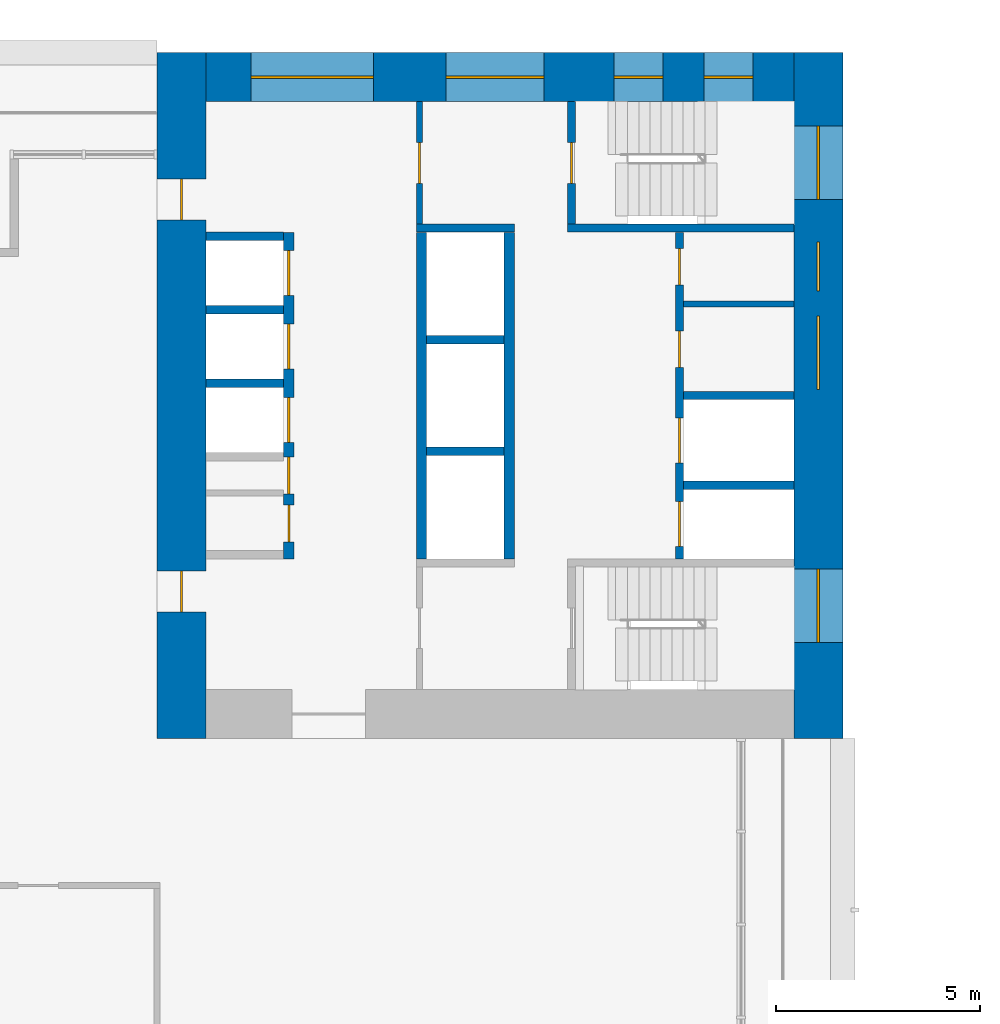
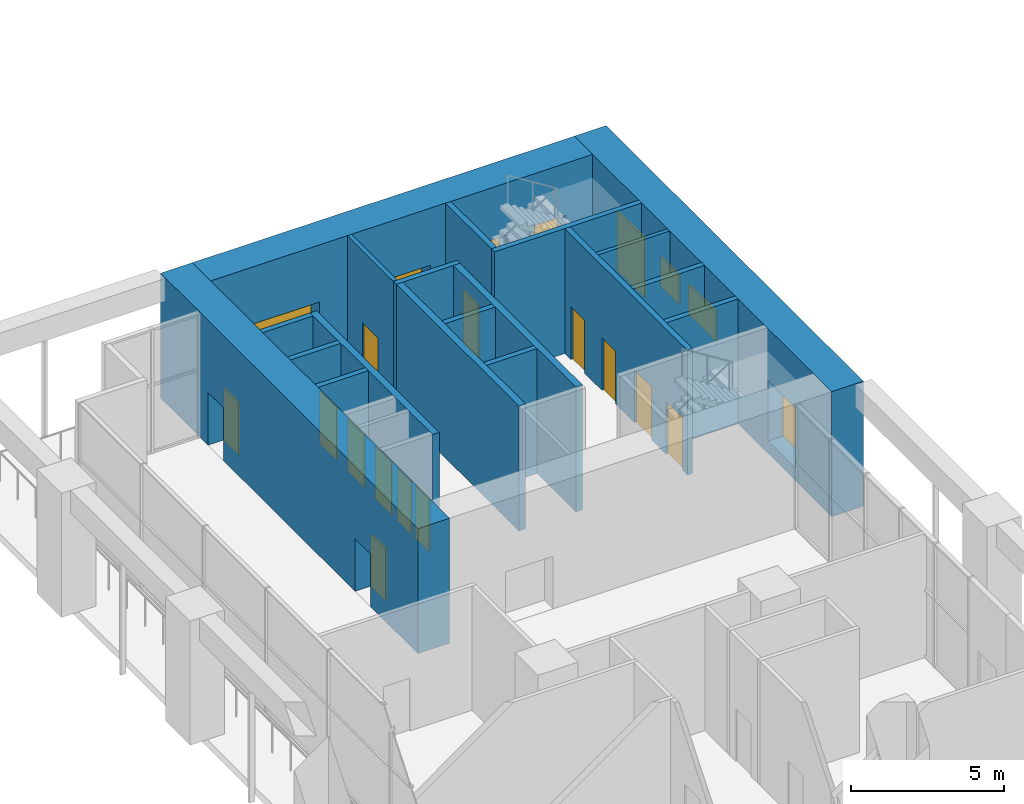
# One storey, part 13 of 26: 19 walls, 13 doors, 8 windows, 21 openings.
"""IFC4 building model written with IfcOpenShell, lengths in metres."""

from ifc_helpers import new_model, si_unit, direction, frame, frame_2d, origin, place, context, subcontext, project, spatial, rectangle, extrude, material, layer, layer_set, type_object, element, fill, save


model = new_model("IFC4")

# Units and contexts
model_context = context("Model", 3, precision=1e-05, world=origin(), true_north=direction((0.0, 1.0)))
body_context = subcontext(model_context, "Body", "Model", "MODEL_VIEW")
ifc_project = project(units=[si_unit("LENGTHUNIT", "METRE"), si_unit("AREAUNIT", "SQUARE_METRE"), si_unit("VOLUMEUNIT", "CUBIC_METRE"), si_unit("PLANEANGLEUNIT", "RADIAN"), si_unit("MASSUNIT", "GRAM", prefix="KILO")], contexts=[model_context])

# Site, building, storey
site_placement = place(None, origin())
site = spatial("IfcSite", under=ifc_project, at=site_placement, CompositionType="ELEMENT")
building_placement = place(site_placement, origin())
building = spatial("IfcBuilding", under=site, at=building_placement, Name="Vermilion Gate Residences", CompositionType="ELEMENT")
storey_placement = place(building_placement, frame((0.0, 0.0, 9.0)))
storey = spatial("IfcBuildingStorey", under=building, at=storey_placement, Name="L01", CompositionType="ELEMENT", Elevation=9.0)

# Wall
ifc_material_1 = material(Name="Masonry blockwork", Category="masonry")
ifc_layer_1 = layer(ifc_material_1, 0.14990234375)
ifc_layer_set_1 = layer_set([ifc_layer_1], Name="BLOCKWORK PARTITION 150 EI 120")
wall_type_1 = type_object("IfcWallType", Name="BLOCKWORK PARTITION 150 EI 120", PredefinedType="PARTITIONING", material=ifc_layer_set_1)
wall_1_placement = place(storey_placement, frame((21.300048828125, 52.637451171875, 0.0), z_axis=(0.0, 0.0, 1.0), x_axis=(1.0, 0.0, 0.0)))
element("IfcWall", 1, at=wall_1_placement, inside=storey, type_object=wall_type_1, Name="Core room partition B01-NR-P0", PredefinedType="PARTITIONING", context=body_context, shape_type="SweptSolid", body=[
    extrude(rectangle(XDim=2.699951171875, YDim=0.14990234375, at=frame_2d((1.35009765625, 0.0))), origin(), (0.0, 0.0, 1.0), 4.97998046875),
])

# Wall, opening, door
wall_2_placement = place(storey_placement, frame((14.824951171875, 57.60009765625, 0.0), z_axis=(0.0, 0.0, 1.0), x_axis=(0.0, -1.0, 0.0)))
wall_2 = element("IfcWall", 2, at=wall_2_placement, inside=storey, type_object=wall_type_1, Name="Core room partition B01-VW-S", PredefinedType="PARTITIONING", context=body_context, shape_type="SweptSolid", body=[
    extrude(rectangle(XDim=3.0, YDim=0.14990234375, at=frame_2d((1.5, 0.0))), origin(), (0.0, 0.0, 1.0), 4.97998046875),
])
opening_1_placement = place(wall_2_placement, frame((1.0, 0.0, 0.0)))
opening_1 = element("IfcOpeningElement", 3, at=opening_1_placement, cuts=wall_2, Name="Opening DK01113", PredefinedType="OPENING", context=body_context, shape_type="SweptSolid", body=[
    extrude(rectangle(XDim=1.0, YDim=2.10009765625, at=frame_2d((0.5, 1.050048828125))), frame((0.0, 0.0849609375, 0.0), z_axis=(0.0, -1.0, 0.0), x_axis=(1.0, 0.0, 0.0)), (0.0, 0.0, 1.0), 0.169921875),
])
ifc_material_2 = material(Name="Steel", Category="steel")
door_type_1 = type_object("IfcDoorType", Name="FIRE DOOR FD60 1000 X 2100", OperationType="SINGLE_SWING_LEFT", PredefinedType="DOOR", material=ifc_material_2)
door_1_placement = place(opening_1_placement, frame((1.0, 0.0, 0.0), z_axis=(0.0, 0.0, 1.0), x_axis=(-1.0, 0.0, 0.0)))
door_1 = element("IfcDoor", 4, at=door_1_placement, inside=storey, type_object=door_type_1, Name="Stair vestibule door B01", OperationType="SINGLE_SWING_RIGHT", OverallHeight=2.10009765625, OverallWidth=1.0, PredefinedType="DOOR", context=body_context, shape_type="SweptSolid", body=[
    extrude(rectangle(XDim=1.0, YDim=2.10009765625, at=frame_2d((0.5, 1.050048828125))), frame((0.0, 0.02490234375, 0.0), z_axis=(0.0, -1.0, 0.0), x_axis=(1.0, 0.0, 0.0)), (0.0, 0.0, 1.0), 0.050048828125),
])
fill(opening_1, door_1)

# Walls
ifc_material_3 = material(Name="Concrete C60", Category="concrete")
ifc_layer_2 = layer(ifc_material_3, 0.199951171875)
ifc_layer_set_2 = layer_set([ifc_layer_2], Name="RC CORE INTERNAL WALL 200 C60")
wall_type_2 = type_object("IfcWallType", Name="RC CORE INTERNAL WALL 200 C60", PredefinedType="SHEAR", material=ifc_layer_set_2)
for number, where, z_axis, x_axis, name in (
    (5, (9.60009765625, 54.300048828125, 0.0), (0.0, 0.0, 1.0), (1.0, 0.0, 0.0), "Core internal wall B01-LR-D0"),
    (6, (9.60009765625, 52.5, 0.0), (0.0, 0.0, 1.0), (1.0, 0.0, 0.0), "Core internal wall B01-LR-D1"),
    (7, (9.60009765625, 50.699951171875, 0.0), (0.0, 0.0, 1.0), (1.0, 0.0, 0.0), "Core internal wall B01-LR-D2"),
    (8, (15.0, 51.7666015625, 0.0), (0.0, 0.0, 1.0), (1.0, 0.0, 0.0), "Core internal wall B01-HR-D1"),
    (9, (15.0, 49.033447265625, 0.0), (0.0, 0.0, 1.0), (1.0, 0.0, 0.0), "Core internal wall B01-HR-D2"),
):
    element("IfcWall", number, at=place(storey_placement, frame(where, z_axis=z_axis, x_axis=x_axis)), inside=storey, type_object=wall_type_2, Name=name, PredefinedType="SHEAR", context=body_context, shape_type="SweptSolid", body=[
        extrude(rectangle(XDim=1.89990234375, YDim=0.199951171875, at=frame_2d((0.949951171875, 0.0))), origin(), (0.0, 0.0, 1.0), 4.97998046875),
    ])
for number, where, z_axis, x_axis, name in (
    (10, (21.300048828125, 50.39990234375, 0.0), (0.0, 0.0, 1.0), (1.0, 0.0, 0.0), "Core internal wall B01-FF-D0"),
    (11, (21.300048828125, 48.199951171875, 0.0), (0.0, 0.0, 1.0), (1.0, 0.0, 0.0), "Core internal wall B01-FF-D1"),
):
    element("IfcWall", number, at=place(storey_placement, frame(where, z_axis=z_axis, x_axis=x_axis)), inside=storey, type_object=wall_type_2, Name=name, PredefinedType="SHEAR", context=body_context, shape_type="SweptSolid", body=[
        extrude(rectangle(XDim=2.699951171875, YDim=0.199951171875, at=frame_2d((1.35009765625, 0.0))), origin(), (0.0, 0.0, 1.0), 4.97998046875),
    ])

# Wall, openings, doors
wall_3_placement = place(storey_placement, frame((21.199951171875, 54.39990234375, 0.0), z_axis=(0.0, 0.0, 1.0), x_axis=(0.0, -1.0, 0.0)))
wall_3 = element("IfcWall", 12, at=wall_3_placement, inside=storey, type_object=wall_type_2, Name="Core internal wall B01-FF-F", PredefinedType="SHEAR", context=body_context, shape_type="SweptSolid", body=[
    extrude(rectangle(XDim=8.0, YDim=0.199951171875, at=frame_2d((4.0, 0.0))), origin(), (0.0, 0.0, 1.0), 4.97998046875),
])
opening_2_placement = place(wall_3_placement, frame((0.393798828125, 0.0, 0.0)))
opening_2 = element("IfcOpeningElement", 13, at=opening_2_placement, cuts=wall_3, Name="Opening DK01109", PredefinedType="OPENING", context=body_context, shape_type="SweptSolid", body=[
    extrude(rectangle(XDim=0.89990234375, YDim=2.10009765625, at=frame_2d((0.449951171875, 1.050048828125))), frame((0.0, 0.10986328125, 0.0), z_axis=(0.0, -1.0, 0.0), x_axis=(1.0, 0.0, 0.0)), (0.0, 0.0, 1.0), 0.219970703125),
])
opening_3_placement = place(wall_3_placement, frame((2.418701171875, 0.0, 0.0)))
opening_3 = element("IfcOpeningElement", 14, at=opening_3_placement, cuts=wall_3, Name="Opening DK01110", PredefinedType="OPENING", context=body_context, shape_type="SweptSolid", body=[
    extrude(rectangle(XDim=0.89990234375, YDim=2.10009765625, at=frame_2d((0.449951171875, 1.050048828125))), frame((0.0, 0.10986328125, 0.0), z_axis=(0.0, -1.0, 0.0), x_axis=(1.0, 0.0, 0.0)), (0.0, 0.0, 1.0), 0.219970703125),
])
opening_4_placement = place(wall_3_placement, frame((4.550048828125, 0.0, 0.0)))
opening_4 = element("IfcOpeningElement", 15, at=opening_4_placement, cuts=wall_3, Name="Opening LD", PredefinedType="OPENING", context=body_context, shape_type="SweptSolid", body=[
    extrude(rectangle(XDim=1.10009765625, YDim=2.10009765625, at=frame_2d((0.550048828125, 1.050048828125))), frame((0.0, 0.10986328125, 0.0), z_axis=(0.0, -1.0, 0.0), x_axis=(1.0, 0.0, 0.0)), (0.0, 0.0, 1.0), 0.219970703125),
])
opening_5_placement = place(wall_3_placement, frame((6.60009765625, 0.0, 0.0)))
opening_5 = element("IfcOpeningElement", 16, at=opening_5_placement, cuts=wall_3, Name="Opening LD", PredefinedType="OPENING", context=body_context, shape_type="SweptSolid", body=[
    extrude(rectangle(XDim=1.10009765625, YDim=2.10009765625, at=frame_2d((0.550048828125, 1.050048828125))), frame((0.0, 0.10986328125, 0.0), z_axis=(0.0, -1.0, 0.0), x_axis=(1.0, 0.0, 0.0)), (0.0, 0.0, 1.0), 0.219970703125),
])
ifc_material_4 = material(Name="Stainless steel", Category="steel")
door_type_2 = type_object("IfcDoorType", Name="LIFT LANDING DOOR E60 1100 X 2100", OperationType="DOUBLE_DOOR_SLIDING", PredefinedType="DOOR", material=ifc_material_4)
door_2_placement = place(opening_4_placement, origin())
door_2 = element("IfcDoor", 17, at=door_2_placement, inside=storey, type_object=door_type_2, Name="Lift landing door LFB1", OperationType="DOUBLE_DOOR_SLIDING", OverallHeight=2.10009765625, OverallWidth=1.10009765625, PredefinedType="DOOR", context=body_context, shape_type="SweptSolid", body=[
    extrude(rectangle(XDim=1.10009765625, YDim=2.10009765625, at=frame_2d((0.550048828125, 1.050048828125))), frame((0.0, 0.02490234375, 0.0), z_axis=(0.0, -1.0, 0.0), x_axis=(1.0, 0.0, 0.0)), (0.0, 0.0, 1.0), 0.050048828125),
])
fill(opening_4, door_2)
door_3_placement = place(opening_5_placement, origin())
door_3 = element("IfcDoor", 18, at=door_3_placement, inside=storey, type_object=door_type_2, Name="Lift landing door LCB1", OperationType="DOUBLE_DOOR_SLIDING", OverallHeight=2.10009765625, OverallWidth=1.10009765625, PredefinedType="DOOR", context=body_context, shape_type="SweptSolid", body=[
    extrude(rectangle(XDim=1.10009765625, YDim=2.10009765625, at=frame_2d((0.550048828125, 1.050048828125))), frame((0.0, 0.02490234375, 0.0), z_axis=(0.0, -1.0, 0.0), x_axis=(1.0, 0.0, 0.0)), (0.0, 0.0, 1.0), 0.050048828125),
])
fill(opening_5, door_3)
ifc_material_5 = material(Name="Steel", Category="steel")
door_type_3 = type_object("IfcDoorType", Name="SERVICE ROOM DOOR FD60 900 X 2100", OperationType="SINGLE_SWING_LEFT", PredefinedType="DOOR", material=ifc_material_5)
door_4_placement = place(opening_2_placement, origin())
door_4 = element("IfcDoor", 19, at=door_4_placement, inside=storey, type_object=door_type_3, Name="Parcel room B01", OperationType="SINGLE_SWING_RIGHT", OverallHeight=2.10009765625, OverallWidth=0.89990234375, PredefinedType="DOOR", context=body_context, shape_type="SweptSolid", body=[
    extrude(rectangle(XDim=0.89990234375, YDim=2.10009765625, at=frame_2d((0.449951171875, 1.050048828125))), frame((0.0, 0.02490234375, 0.0), z_axis=(0.0, -1.0, 0.0), x_axis=(1.0, 0.0, 0.0)), (0.0, 0.0, 1.0), 0.050048828125),
])
fill(opening_2, door_4)
door_5_placement = place(opening_3_placement, frame((0.89990234375, 0.0, 0.0), z_axis=(0.0, 0.0, 1.0), x_axis=(-1.0, 0.0, 0.0)))
door_5 = element("IfcDoor", 20, at=door_5_placement, inside=storey, type_object=door_type_3, Name="Electrical room B01", OperationType="SINGLE_SWING_RIGHT", OverallHeight=2.10009765625, OverallWidth=0.89990234375, PredefinedType="DOOR", context=body_context, shape_type="SweptSolid", body=[
    extrude(rectangle(XDim=0.89990234375, YDim=2.10009765625, at=frame_2d((0.449951171875, 1.050048828125))), frame((0.0, 0.02490234375, 0.0), z_axis=(0.0, -1.0, 0.0), x_axis=(1.0, 0.0, 0.0)), (0.0, 0.0, 1.0), 0.050048828125),
])
fill(opening_3, door_5)

# Walls
wall_4_placement = place(storey_placement, frame((14.75, 54.5, 0.0), z_axis=(0.0, 0.0, 1.0), x_axis=(1.0, 0.0, 0.0)))
element("IfcWall", 21, at=wall_4_placement, inside=storey, type_object=wall_type_2, Name="Core internal wall B01-WDIV1", PredefinedType="SHEAR", context=body_context, shape_type="SweptSolid", body=[
    extrude(rectangle(XDim=2.39990234375, YDim=0.199951171875, at=frame_2d((1.199951171875, 0.0))), origin(), (0.0, 0.0, 1.0), 4.97998046875),
])
wall_5_placement = place(storey_placement, frame((18.449951171875, 54.5, 0.0), z_axis=(0.0, 0.0, 1.0), x_axis=(1.0, 0.0, 0.0)))
element("IfcWall", 22, at=wall_5_placement, inside=storey, type_object=wall_type_2, Name="Core internal wall B01-WDIV2", PredefinedType="SHEAR", context=body_context, shape_type="SweptSolid", body=[
    extrude(rectangle(XDim=5.550048828125, YDim=0.199951171875, at=frame_2d((2.77490234375, 0.0))), origin(), (0.0, 0.0, 1.0), 4.97998046875),
])

# Wall, opening, door
wall_6_placement = place(storey_placement, frame((18.550048828125, 57.60009765625, 0.0), z_axis=(0.0, 0.0, 1.0), x_axis=(0.0, -1.0, 0.0)))
wall_6 = element("IfcWall", 23, at=wall_6_placement, inside=storey, type_object=wall_type_2, Name="Core internal wall B01-STW-S", PredefinedType="SHEAR", context=body_context, shape_type="SweptSolid", body=[
    extrude(rectangle(XDim=3.0, YDim=0.199951171875, at=frame_2d((1.5, 0.0))), origin(), (0.0, 0.0, 1.0), 4.97998046875),
])
opening_6_placement = place(wall_6_placement, frame((1.0, 0.0, 0.0)))
opening_6 = element("IfcOpeningElement", 24, at=opening_6_placement, cuts=wall_6, Name="Opening DK01114", PredefinedType="OPENING", context=body_context, shape_type="SweptSolid", body=[
    extrude(rectangle(XDim=1.0, YDim=2.10009765625, at=frame_2d((0.5, 1.050048828125))), frame((0.0, 0.10986328125, 0.0), z_axis=(0.0, -1.0, 0.0), x_axis=(1.0, 0.0, 0.0)), (0.0, 0.0, 1.0), 0.219970703125),
])
door_6_placement = place(opening_6_placement, origin())
door_6 = element("IfcDoor", 25, at=door_6_placement, inside=storey, type_object=door_type_1, Name="Stair door B01", OperationType="SINGLE_SWING_LEFT", OverallHeight=2.10009765625, OverallWidth=1.0, PredefinedType="DOOR", context=body_context, shape_type="SweptSolid", body=[
    extrude(rectangle(XDim=1.0, YDim=2.10009765625, at=frame_2d((0.5, 1.050048828125))), frame((0.0, 0.02490234375, 0.0), z_axis=(0.0, -1.0, 0.0), x_axis=(1.0, 0.0, 0.0)), (0.0, 0.0, 1.0), 0.050048828125),
])
fill(opening_6, door_6)

# Wall, openings, doors
ifc_material_6 = material(Name="Concrete C80", Category="concrete")
ifc_layer_3 = layer(ifc_material_6, 1.199951171875)
ifc_layer_set_3 = layer_set([ifc_layer_3], Name="RC CORE WALL 1200 C80")
wall_type_3 = type_object("IfcWallType", Name="RC CORE WALL 1200 C80", PredefinedType="SHEAR", material=ifc_layer_set_3)
wall_7_placement = place(storey_placement, frame((9.0, 58.800048828125, 0.0), z_axis=(0.0, 0.0, 1.0), x_axis=(0.0, -1.0, 0.0)))
wall_7 = element("IfcWall", 26, at=wall_7_placement, inside=storey, type_object=wall_type_3, Name="Core wall B01-OUT-B0", PredefinedType="SHEAR", context=body_context, shape_type="SweptSolid", body=[
    extrude(rectangle(XDim=16.800048828125, YDim=1.199951171875, at=frame_2d((8.39990234375, 0.0))), origin(), (0.0, 0.0, 1.0), 4.97998046875),
])
opening_7_placement = place(wall_7_placement, frame((3.10009765625, 0.0, 0.0)))
opening_7 = element("IfcOpeningElement", 27, at=opening_7_placement, cuts=wall_7, Name="Opening DK01101", PredefinedType="OPENING", context=body_context, shape_type="SweptSolid", body=[
    extrude(rectangle(XDim=1.0, YDim=2.10009765625, at=frame_2d((0.5, 1.050048828125))), frame((0.0, 0.60986328125, 0.0), z_axis=(0.0, -1.0, 0.0), x_axis=(1.0, 0.0, 0.0)), (0.0, 0.0, 1.0), 1.219970703125),
])
opening_8_placement = place(wall_7_placement, frame((12.699951171875, 0.0, 0.0)))
opening_8 = element("IfcOpeningElement", 28, at=opening_8_placement, cuts=wall_7, Name="Opening DK01102", PredefinedType="OPENING", context=body_context, shape_type="SweptSolid", body=[
    extrude(rectangle(XDim=1.0, YDim=2.10009765625, at=frame_2d((0.5, 1.050048828125))), frame((0.0, 0.60986328125, 0.0), z_axis=(0.0, -1.0, 0.0), x_axis=(1.0, 0.0, 0.0)), (0.0, 0.0, 1.0), 1.219970703125),
])
door_7_placement = place(opening_7_placement, origin())
door_7 = element("IfcDoor", 29, at=door_7_placement, inside=storey, type_object=door_type_1, Name="Core lobby side door B01", OperationType="SINGLE_SWING_RIGHT", OverallHeight=2.10009765625, OverallWidth=1.0, PredefinedType="DOOR", context=body_context, shape_type="SweptSolid", body=[
    extrude(rectangle(XDim=1.0, YDim=2.10009765625, at=frame_2d((0.5, 1.050048828125))), frame((0.0, 0.02490234375, 0.0), z_axis=(0.0, -1.0, 0.0), x_axis=(1.0, 0.0, 0.0)), (0.0, 0.0, 1.0), 0.050048828125),
])
fill(opening_7, door_7)
door_8_placement = place(opening_8_placement, origin())
door_8 = element("IfcDoor", 30, at=door_8_placement, inside=storey, type_object=door_type_1, Name="Core lobby side door B01", OperationType="SINGLE_SWING_LEFT", OverallHeight=2.10009765625, OverallWidth=1.0, PredefinedType="DOOR", context=body_context, shape_type="SweptSolid", body=[
    extrude(rectangle(XDim=1.0, YDim=2.10009765625, at=frame_2d((0.5, 1.050048828125))), frame((0.0, 0.02490234375, 0.0), z_axis=(0.0, -1.0, 0.0), x_axis=(1.0, 0.0, 0.0)), (0.0, 0.0, 1.0), 0.050048828125),
])
fill(opening_8, door_8)

# Wall, openings, windows
ifc_material_7 = material(Name="Concrete C80 red-oxide pigmented", Category="concrete")
ifc_layer_4 = layer(ifc_material_7, 1.199951171875)
ifc_layer_set_4 = layer_set([ifc_layer_4], Name="RC CORE WALL 1200 C80 RED OXIDE")
wall_type_4 = type_object("IfcWallType", Name="RC CORE WALL 1200 C80 RED OXIDE", PredefinedType="SHEAR", material=ifc_layer_set_4)
wall_8_placement = place(storey_placement, frame((24.60009765625, 58.800048828125, 0.0), z_axis=(0.0, 0.0, 1.0), x_axis=(0.0, -1.0, 0.0)))
wall_8 = element("IfcWall", 31, at=wall_8_placement, inside=storey, type_object=wall_type_4, Name="Core wall B01-OUT-B1", PredefinedType="SHEAR", context=body_context, shape_type="SweptSolid", body=[
    extrude(rectangle(XDim=16.800048828125, YDim=1.199951171875, at=frame_2d((8.39990234375, 0.0))), origin(), (0.0, 0.0, 1.0), 4.97998046875),
])
opening_9_placement = place(wall_8_placement, frame((1.800048828125, 0.0, 0.5)))
opening_9 = element("IfcOpeningElement", 32, at=opening_9_placement, cuts=wall_8, Name="Opening WKB0101", PredefinedType="OPENING", context=body_context, shape_type="SweptSolid", body=[
    extrude(rectangle(XDim=1.800048828125, YDim=2.39990234375, at=frame_2d((0.89990234375, 1.199951171875))), frame((0.0, 0.60986328125, 0.0), z_axis=(0.0, -1.0, 0.0), x_axis=(1.0, 0.0, 0.0)), (0.0, 0.0, 1.0), 1.219970703125),
])
opening_10_placement = place(wall_8_placement, frame((4.643798828125, 0.0, 1.60009765625)))
opening_10 = element("IfcOpeningElement", 33, at=opening_10_placement, cuts=wall_8, Name="Opening WKB0102", PredefinedType="OPENING", context=body_context, shape_type="SweptSolid", body=[
    extrude(rectangle(XDim=1.199951171875, YDim=1.199951171875, at=frame_2d((0.60009765625, 0.60009765625))), frame((0.0, 0.60986328125, 0.0), z_axis=(0.0, -1.0, 0.0), x_axis=(1.0, 0.0, 0.0)), (0.0, 0.0, 1.0), 1.219970703125),
])
opening_11_placement = place(wall_8_placement, frame((6.449951171875, 0.0, 1.60009765625)))
opening_11 = element("IfcOpeningElement", 34, at=opening_11_placement, cuts=wall_8, Name="Opening WKB0103", PredefinedType="OPENING", context=body_context, shape_type="SweptSolid", body=[
    extrude(rectangle(XDim=1.800048828125, YDim=1.199951171875, at=frame_2d((0.89990234375, 0.60009765625))), frame((0.0, 0.60986328125, 0.0), z_axis=(0.0, -1.0, 0.0), x_axis=(1.0, 0.0, 0.0)), (0.0, 0.0, 1.0), 1.219970703125),
])
opening_12_placement = place(wall_8_placement, frame((12.64990234375, 0.0, 0.5)))
opening_12 = element("IfcOpeningElement", 35, at=opening_12_placement, cuts=wall_8, Name="Opening WKB0104", PredefinedType="OPENING", context=body_context, shape_type="SweptSolid", body=[
    extrude(rectangle(XDim=1.800048828125, YDim=2.39990234375, at=frame_2d((0.89990234375, 1.199951171875))), frame((0.0, 0.60986328125, 0.0), z_axis=(0.0, -1.0, 0.0), x_axis=(1.0, 0.0, 0.0)), (0.0, 0.0, 1.0), 1.219970703125),
])
ifc_material_8 = material(Name="Aluminium frame with louvre blades", Category="aluminium")
window_type_1 = type_object("IfcWindowType", Name="CORE LOUVRE 1200 X 1200", PartitioningType="SINGLE_PANEL", PredefinedType="WINDOW", material=ifc_material_8)
window_1_placement = place(opening_10_placement, origin())
window_1 = element("IfcWindow", 36, at=window_1_placement, inside=storey, type_object=window_type_1, Name="Core louvre", OverallHeight=1.199951171875, OverallWidth=1.199951171875, PartitioningType="SINGLE_PANEL", PredefinedType="WINDOW", context=body_context, shape_type="SweptSolid", body=[
    extrude(rectangle(XDim=1.199951171875, YDim=1.199951171875, at=frame_2d((0.60009765625, 0.60009765625))), frame((0.0, 0.030029296875, 0.0), z_axis=(0.0, -1.0, 0.0), x_axis=(1.0, 0.0, 0.0)), (0.0, 0.0, 1.0), 0.06005859375),
])
fill(opening_10, window_1)
ifc_material_9 = material(Name="Aluminium frame with louvre blades", Category="aluminium")
window_type_2 = type_object("IfcWindowType", Name="CORE LOUVRE 1800 X 1200", PartitioningType="SINGLE_PANEL", PredefinedType="WINDOW", material=ifc_material_9)
window_2_placement = place(opening_11_placement, origin())
window_2 = element("IfcWindow", 37, at=window_2_placement, inside=storey, type_object=window_type_2, Name="Core louvre", OverallHeight=1.199951171875, OverallWidth=1.800048828125, PartitioningType="SINGLE_PANEL", PredefinedType="WINDOW", context=body_context, shape_type="SweptSolid", body=[
    extrude(rectangle(XDim=1.800048828125, YDim=1.199951171875, at=frame_2d((0.89990234375, 0.60009765625))), frame((0.0, 0.030029296875, 0.0), z_axis=(0.0, -1.0, 0.0), x_axis=(1.0, 0.0, 0.0)), (0.0, 0.0, 1.0), 0.06005859375),
])
fill(opening_11, window_2)
ifc_material_10 = material(Name="Aluminium and clear glass", Category="aluminium")
window_type_3 = type_object("IfcWindowType", Name="CORE STAIR WINDOW 1800 X 2400", PartitioningType="SINGLE_PANEL", PredefinedType="WINDOW", material=ifc_material_10)
window_3_placement = place(opening_9_placement, origin())
window_3 = element("IfcWindow", 38, at=window_3_placement, inside=storey, type_object=window_type_3, Name="Core stair window", OverallHeight=2.39990234375, OverallWidth=1.800048828125, PartitioningType="SINGLE_PANEL", PredefinedType="WINDOW", context=body_context, shape_type="SweptSolid", body=[
    extrude(rectangle(XDim=1.800048828125, YDim=2.39990234375, at=frame_2d((0.89990234375, 1.199951171875))), frame((0.0, 0.030029296875, 0.0), z_axis=(0.0, -1.0, 0.0), x_axis=(1.0, 0.0, 0.0)), (0.0, 0.0, 1.0), 0.06005859375),
])
fill(opening_9, window_3)
window_4_placement = place(opening_12_placement, origin())
window_4 = element("IfcWindow", 39, at=window_4_placement, inside=storey, type_object=window_type_3, Name="Core stair window", OverallHeight=2.39990234375, OverallWidth=1.800048828125, PartitioningType="SINGLE_PANEL", PredefinedType="WINDOW", context=body_context, shape_type="SweptSolid", body=[
    extrude(rectangle(XDim=1.800048828125, YDim=2.39990234375, at=frame_2d((0.89990234375, 1.199951171875))), frame((0.0, 0.030029296875, 0.0), z_axis=(0.0, -1.0, 0.0), x_axis=(1.0, 0.0, 0.0)), (0.0, 0.0, 1.0), 0.06005859375),
])
fill(opening_12, window_4)

wall_9_placement = place(storey_placement, frame((9.60009765625, 58.199951171875, 0.0), z_axis=(0.0, 0.0, 1.0), x_axis=(1.0, 0.0, 0.0)))
wall_9 = element("IfcWall", 40, at=wall_9_placement, inside=storey, type_object=wall_type_4, Name="Core wall B01-OUT-FR", PredefinedType="SHEAR", context=body_context, shape_type="SweptSolid", body=[
    extrude(rectangle(XDim=14.39990234375, YDim=1.199951171875, at=frame_2d((7.199951171875, 0.0))), origin(), (0.0, 0.0, 1.0), 4.97998046875),
])
opening_13_placement = place(wall_9_placement, frame((1.10498046875, 0.0, 0.60009765625)))
opening_13 = element("IfcOpeningElement", 41, at=opening_13_placement, cuts=wall_9, Name="Opening WKB0105", PredefinedType="OPENING", context=body_context, shape_type="SweptSolid", body=[
    extrude(rectangle(XDim=3.0, YDim=2.10009765625, at=frame_2d((1.5, 1.050048828125))), frame((0.0, 0.60986328125, 0.0), z_axis=(0.0, -1.0, 0.0), x_axis=(1.0, 0.0, 0.0)), (0.0, 0.0, 1.0), 1.219970703125),
])
opening_14_placement = place(wall_9_placement, frame((5.875, 0.0, 0.60009765625)))
opening_14 = element("IfcOpeningElement", 42, at=opening_14_placement, cuts=wall_9, Name="Opening WKB0106", PredefinedType="OPENING", context=body_context, shape_type="SweptSolid", body=[
    extrude(rectangle(XDim=2.39990234375, YDim=2.10009765625, at=frame_2d((1.199951171875, 1.050048828125))), frame((0.0, 0.60986328125, 0.0), z_axis=(0.0, -1.0, 0.0), x_axis=(1.0, 0.0, 0.0)), (0.0, 0.0, 1.0), 1.219970703125),
])
opening_15_placement = place(wall_9_placement, frame((9.993408203125, 0.0, 0.5)))
opening_15 = element("IfcOpeningElement", 43, at=opening_15_placement, cuts=wall_9, Name="Opening WKB0107", PredefinedType="OPENING", context=body_context, shape_type="SweptSolid", body=[
    extrude(rectangle(XDim=1.199951171875, YDim=2.39990234375, at=frame_2d((0.60009765625, 1.199951171875))), frame((0.0, 0.60986328125, 0.0), z_axis=(0.0, -1.0, 0.0), x_axis=(1.0, 0.0, 0.0)), (0.0, 0.0, 1.0), 1.219970703125),
])
opening_16_placement = place(wall_9_placement, frame((12.19677734375, 0.0, 0.5)))
opening_16 = element("IfcOpeningElement", 44, at=opening_16_placement, cuts=wall_9, Name="Opening WKB0108", PredefinedType="OPENING", context=body_context, shape_type="SweptSolid", body=[
    extrude(rectangle(XDim=1.199951171875, YDim=2.39990234375, at=frame_2d((0.60009765625, 1.199951171875))), frame((0.0, 0.60986328125, 0.0), z_axis=(0.0, -1.0, 0.0), x_axis=(1.0, 0.0, 0.0)), (0.0, 0.0, 1.0), 1.219970703125),
])
ifc_material_11 = material(Name="Aluminium and clear glass", Category="aluminium")
window_type_4 = type_object("IfcWindowType", Name="CORE LOBBY WINDOW 2400 X 2100", PartitioningType="SINGLE_PANEL", PredefinedType="WINDOW", material=ifc_material_11)
window_5_placement = place(opening_14_placement, origin())
window_5 = element("IfcWindow", 45, at=window_5_placement, inside=storey, type_object=window_type_4, Name="Core lobby window", OverallHeight=2.10009765625, OverallWidth=2.39990234375, PartitioningType="SINGLE_PANEL", PredefinedType="WINDOW", context=body_context, shape_type="SweptSolid", body=[
    extrude(rectangle(XDim=2.39990234375, YDim=2.10009765625, at=frame_2d((1.199951171875, 1.050048828125))), frame((0.0, 0.030029296875, 0.0), z_axis=(0.0, -1.0, 0.0), x_axis=(1.0, 0.0, 0.0)), (0.0, 0.0, 1.0), 0.06005859375),
])
fill(opening_14, window_5)
ifc_material_12 = material(Name="Aluminium and clear glass", Category="aluminium")
window_type_5 = type_object("IfcWindowType", Name="CORE LOBBY WINDOW 3000 X 2100", PartitioningType="SINGLE_PANEL", PredefinedType="WINDOW", material=ifc_material_12)
window_6_placement = place(opening_13_placement, origin())
window_6 = element("IfcWindow", 46, at=window_6_placement, inside=storey, type_object=window_type_5, Name="Core lobby window", OverallHeight=2.10009765625, OverallWidth=3.0, PartitioningType="SINGLE_PANEL", PredefinedType="WINDOW", context=body_context, shape_type="SweptSolid", body=[
    extrude(rectangle(XDim=3.0, YDim=2.10009765625, at=frame_2d((1.5, 1.050048828125))), frame((0.0, 0.030029296875, 0.0), z_axis=(0.0, -1.0, 0.0), x_axis=(1.0, 0.0, 0.0)), (0.0, 0.0, 1.0), 0.06005859375),
])
fill(opening_13, window_6)
ifc_material_13 = material(Name="Aluminium and clear glass", Category="aluminium")
window_type_6 = type_object("IfcWindowType", Name="CORE STAIR WINDOW 1200 X 2400", PartitioningType="SINGLE_PANEL", PredefinedType="WINDOW", material=ifc_material_13)
window_7_placement = place(opening_15_placement, origin())
window_7 = element("IfcWindow", 47, at=window_7_placement, inside=storey, type_object=window_type_6, Name="Core stair window", OverallHeight=2.39990234375, OverallWidth=1.199951171875, PartitioningType="SINGLE_PANEL", PredefinedType="WINDOW", context=body_context, shape_type="SweptSolid", body=[
    extrude(rectangle(XDim=1.199951171875, YDim=2.39990234375, at=frame_2d((0.60009765625, 1.199951171875))), frame((0.0, 0.030029296875, 0.0), z_axis=(0.0, -1.0, 0.0), x_axis=(1.0, 0.0, 0.0)), (0.0, 0.0, 1.0), 0.06005859375),
])
fill(opening_15, window_7)
window_8_placement = place(opening_16_placement, origin())
window_8 = element("IfcWindow", 48, at=window_8_placement, inside=storey, type_object=window_type_6, Name="Core stair window", OverallHeight=2.39990234375, OverallWidth=1.199951171875, PartitioningType="SINGLE_PANEL", PredefinedType="WINDOW", context=body_context, shape_type="SweptSolid", body=[
    extrude(rectangle(XDim=1.199951171875, YDim=2.39990234375, at=frame_2d((0.60009765625, 1.199951171875))), frame((0.0, 0.030029296875, 0.0), z_axis=(0.0, -1.0, 0.0), x_axis=(1.0, 0.0, 0.0)), (0.0, 0.0, 1.0), 0.06005859375),
])
fill(opening_16, window_8)

# Wall, openings, doors
ifc_material_14 = material(Name="Concrete C60", Category="concrete")
ifc_layer_5 = layer(ifc_material_14, 0.25)
ifc_layer_set_5 = layer_set([ifc_layer_5], Name="RC LIFT SHAFT WALL 250 C60")
wall_type_5 = type_object("IfcWallType", Name="RC LIFT SHAFT WALL 250 C60", PredefinedType="SHEAR", material=ifc_layer_set_5)
wall_10_placement = place(storey_placement, frame((11.625, 54.39990234375, 0.0), z_axis=(0.0, 0.0, 1.0), x_axis=(0.0, -1.0, 0.0)))
wall_10 = element("IfcWall", 49, at=wall_10_placement, inside=storey, type_object=wall_type_5, Name="Lift shaft wall B01-LR-F", PredefinedType="SHEAR", context=body_context, shape_type="SweptSolid", body=[
    extrude(rectangle(XDim=8.0, YDim=0.25, at=frame_2d((4.0, 0.0))), origin(), (0.0, 0.0, 1.0), 4.97998046875),
])
opening_17_placement = place(wall_10_placement, frame((0.449951171875, 0.0, 0.0)))
opening_17 = element("IfcOpeningElement", 50, at=opening_17_placement, cuts=wall_10, Name="Opening LD", PredefinedType="OPENING", context=body_context, shape_type="SweptSolid", body=[
    extrude(rectangle(XDim=1.10009765625, YDim=2.10009765625, at=frame_2d((0.550048828125, 1.050048828125))), frame((0.0, 0.135009765625, 0.0), z_axis=(0.0, -1.0, 0.0), x_axis=(1.0, 0.0, 0.0)), (0.0, 0.0, 1.0), 0.27001953125),
])
opening_18_placement = place(wall_10_placement, frame((2.25, 0.0, 0.0)))
opening_18 = element("IfcOpeningElement", 51, at=opening_18_placement, cuts=wall_10, Name="Opening LD", PredefinedType="OPENING", context=body_context, shape_type="SweptSolid", body=[
    extrude(rectangle(XDim=1.10009765625, YDim=2.10009765625, at=frame_2d((0.550048828125, 1.050048828125))), frame((0.0, 0.135009765625, 0.0), z_axis=(0.0, -1.0, 0.0), x_axis=(1.0, 0.0, 0.0)), (0.0, 0.0, 1.0), 0.27001953125),
])
opening_19_placement = place(wall_10_placement, frame((4.050048828125, 0.0, 0.0)))
opening_19 = element("IfcOpeningElement", 52, at=opening_19_placement, cuts=wall_10, Name="Opening LD", PredefinedType="OPENING", context=body_context, shape_type="SweptSolid", body=[
    extrude(rectangle(XDim=1.10009765625, YDim=2.10009765625, at=frame_2d((0.550048828125, 1.050048828125))), frame((0.0, 0.135009765625, 0.0), z_axis=(0.0, -1.0, 0.0), x_axis=(1.0, 0.0, 0.0)), (0.0, 0.0, 1.0), 0.27001953125),
])
opening_20_placement = place(wall_10_placement, frame((5.5087890625, 0.0, 0.0)))
opening_20 = element("IfcOpeningElement", 53, at=opening_20_placement, cuts=wall_10, Name="Opening DK01107", PredefinedType="OPENING", context=body_context, shape_type="SweptSolid", body=[
    extrude(rectangle(XDim=0.89990234375, YDim=2.10009765625, at=frame_2d((0.449951171875, 1.050048828125))), frame((0.0, 0.135009765625, 0.0), z_axis=(0.0, -1.0, 0.0), x_axis=(1.0, 0.0, 0.0)), (0.0, 0.0, 1.0), 0.27001953125),
])
opening_21_placement = place(wall_10_placement, frame((6.683837890625, 0.0, 0.0)))
opening_21 = element("IfcOpeningElement", 54, at=opening_21_placement, cuts=wall_10, Name="Opening DK01108", PredefinedType="OPENING", context=body_context, shape_type="SweptSolid", body=[
    extrude(rectangle(XDim=0.89990234375, YDim=2.10009765625, at=frame_2d((0.449951171875, 1.050048828125))), frame((0.0, 0.135009765625, 0.0), z_axis=(0.0, -1.0, 0.0), x_axis=(1.0, 0.0, 0.0)), (0.0, 0.0, 1.0), 0.27001953125),
])
door_9_placement = place(opening_17_placement, origin())
door_9 = element("IfcDoor", 55, at=door_9_placement, inside=storey, type_object=door_type_2, Name="Lift landing door LRB1", OperationType="DOUBLE_DOOR_SLIDING", OverallHeight=2.10009765625, OverallWidth=1.10009765625, PredefinedType="DOOR", context=body_context, shape_type="SweptSolid", body=[
    extrude(rectangle(XDim=1.10009765625, YDim=2.10009765625, at=frame_2d((0.550048828125, 1.050048828125))), frame((0.0, 0.02490234375, 0.0), z_axis=(0.0, -1.0, 0.0), x_axis=(1.0, 0.0, 0.0)), (0.0, 0.0, 1.0), 0.050048828125),
])
fill(opening_17, door_9)
door_10_placement = place(opening_18_placement, origin())
door_10 = element("IfcDoor", 56, at=door_10_placement, inside=storey, type_object=door_type_2, Name="Lift landing door LRB2", OperationType="DOUBLE_DOOR_SLIDING", OverallHeight=2.10009765625, OverallWidth=1.10009765625, PredefinedType="DOOR", context=body_context, shape_type="SweptSolid", body=[
    extrude(rectangle(XDim=1.10009765625, YDim=2.10009765625, at=frame_2d((0.550048828125, 1.050048828125))), frame((0.0, 0.02490234375, 0.0), z_axis=(0.0, -1.0, 0.0), x_axis=(1.0, 0.0, 0.0)), (0.0, 0.0, 1.0), 0.050048828125),
])
fill(opening_18, door_10)
door_11_placement = place(opening_19_placement, origin())
door_11 = element("IfcDoor", 57, at=door_11_placement, inside=storey, type_object=door_type_2, Name="Lift landing door LRB3", OperationType="DOUBLE_DOOR_SLIDING", OverallHeight=2.10009765625, OverallWidth=1.10009765625, PredefinedType="DOOR", context=body_context, shape_type="SweptSolid", body=[
    extrude(rectangle(XDim=1.10009765625, YDim=2.10009765625, at=frame_2d((0.550048828125, 1.050048828125))), frame((0.0, 0.02490234375, 0.0), z_axis=(0.0, -1.0, 0.0), x_axis=(1.0, 0.0, 0.0)), (0.0, 0.0, 1.0), 0.050048828125),
])
fill(opening_19, door_11)
door_12_placement = place(opening_20_placement, origin())
door_12 = element("IfcDoor", 58, at=door_12_placement, inside=storey, type_object=door_type_3, Name="Fire equipment store B01", OperationType="SINGLE_SWING_LEFT", OverallHeight=2.10009765625, OverallWidth=0.89990234375, PredefinedType="DOOR", context=body_context, shape_type="SweptSolid", body=[
    extrude(rectangle(XDim=0.89990234375, YDim=2.10009765625, at=frame_2d((0.449951171875, 1.050048828125))), frame((0.0, 0.02490234375, 0.0), z_axis=(0.0, -1.0, 0.0), x_axis=(1.0, 0.0, 0.0)), (0.0, 0.0, 1.0), 0.050048828125),
])
fill(opening_20, door_12)
door_13_placement = place(opening_21_placement, frame((0.89990234375, 0.0, 0.0), z_axis=(0.0, 0.0, 1.0), x_axis=(-1.0, 0.0, 0.0)))
door_13 = element("IfcDoor", 59, at=door_13_placement, inside=storey, type_object=door_type_3, Name="Mail room B01", OperationType="SINGLE_SWING_RIGHT", OverallHeight=2.10009765625, OverallWidth=0.89990234375, PredefinedType="DOOR", context=body_context, shape_type="SweptSolid", body=[
    extrude(rectangle(XDim=0.89990234375, YDim=2.10009765625, at=frame_2d((0.449951171875, 1.050048828125))), frame((0.0, 0.02490234375, 0.0), z_axis=(0.0, -1.0, 0.0), x_axis=(1.0, 0.0, 0.0)), (0.0, 0.0, 1.0), 0.050048828125),
])
fill(opening_21, door_13)

# Walls
for number, where, z_axis, x_axis, name in (
    (60, (14.875, 54.39990234375, 0.0), (0.0, 0.0, 1.0), (0.0, -1.0, 0.0), "Lift shaft wall B01-HR-F"),
    (61, (17.02490234375, 54.39990234375, 0.0), (0.0, 0.0, 1.0), (0.0, -1.0, 0.0), "Lift shaft wall B01-HR-B"),
):
    element("IfcWall", number, at=place(storey_placement, frame(where, z_axis=z_axis, x_axis=x_axis)), inside=storey, type_object=wall_type_5, Name=name, PredefinedType="SHEAR", context=body_context, shape_type="SweptSolid", body=[
        extrude(rectangle(XDim=8.0, YDim=0.25, at=frame_2d((4.0, 0.0))), origin(), (0.0, 0.0, 1.0), 4.97998046875),
    ])

save(model, "model.ifc")
